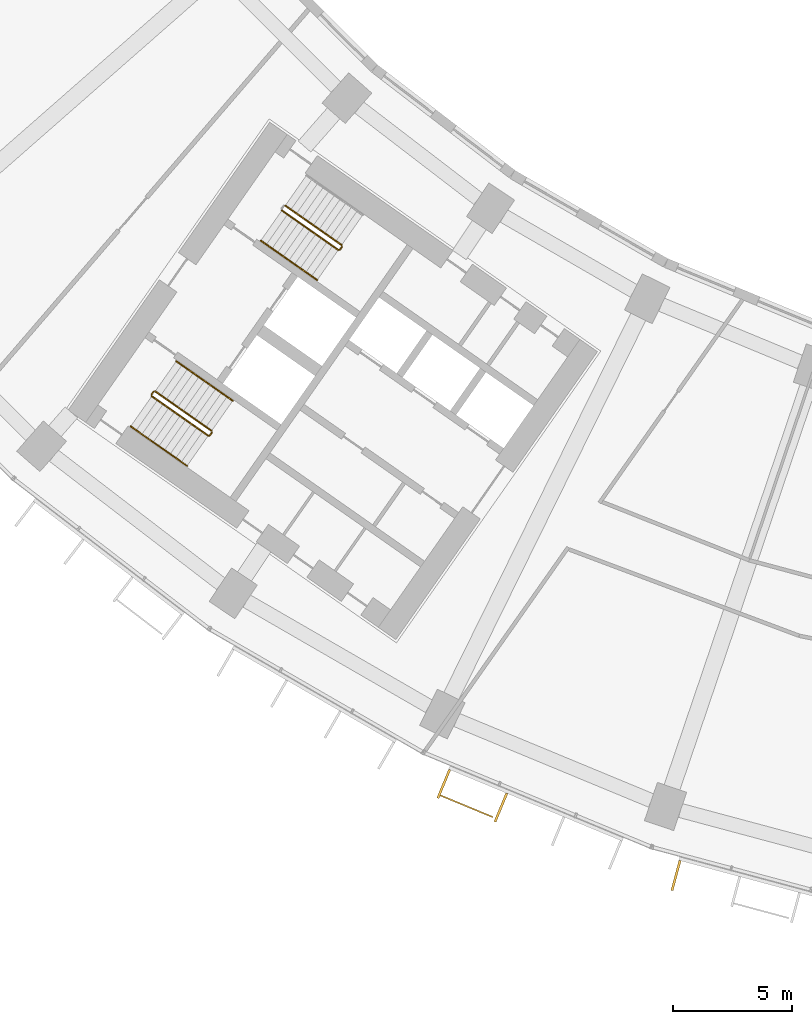
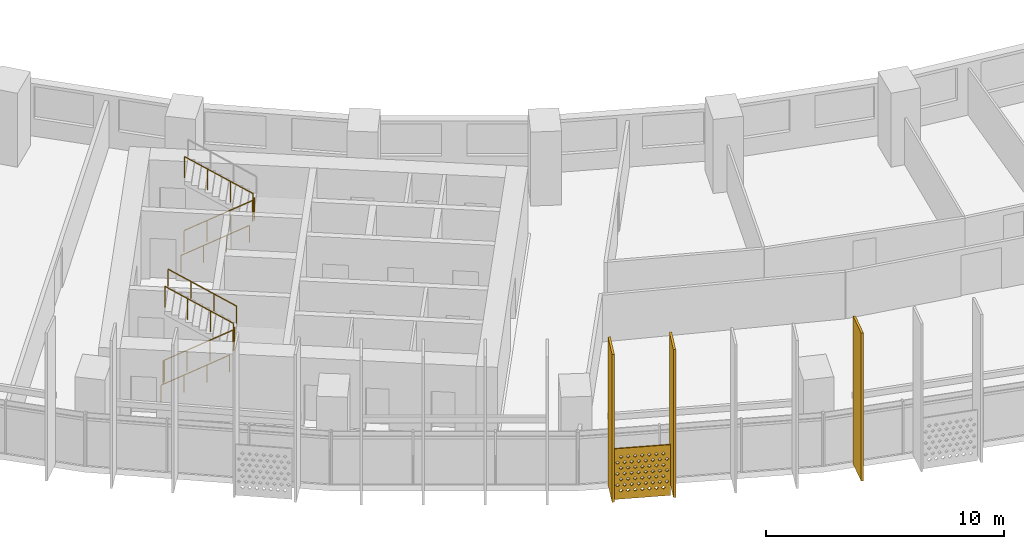
# One storey, part 25 of 31: 8 railings, 4 shading devices.
"""IFC4 building model written with IfcOpenShell, lengths in metres."""

import ifcopenshell
import ifcopenshell.guid

model = None  # the IFC model being written
_history = None  # IfcOwnerHistory: only IFC2X3 demands one
_inside = {}  # id of a spatial element -> (the spatial element, [elements in it])
_under = {}  # id of a project, library or spatial element -> (it, [spatial elements below it])
_declared = {}  # id of a project -> (the project, [libraries it declares])
_typed = {}  # id of a type object -> (the type object, [elements of that type])
_made_of = {}  # id of a material, layer set ... -> (it, [elements and type objects made of it])


def new_model(schema):
    """Start an empty IFC model of exactly this schema.

    Asked for "IFC4X3", IfcOpenShell would pick the latest addendum, in which some entities
    have other attributes; the version numbers below select the first issue.
    IFC2X3 requires an IfcOwnerHistory on every rooted entity: one is made here for all.
    """
    global model, _history
    if schema == "IFC4X3":
        model = ifcopenshell.file(schema_version=(4, 3, 0, 0))
    else:
        model = ifcopenshell.file(schema=schema)
    _inside.clear()
    _under.clear()
    _declared.clear()
    _typed.clear()
    _made_of.clear()
    _history = None
    if model.schema == "IFC2X3":
        org = make("IfcOrganization", Name="unknown")
        user = make(
            "IfcPersonAndOrganization",
            ThePerson=make("IfcPerson", FamilyName="unknown"),
            TheOrganization=org,
        )
        app = make(
            "IfcApplication",
            ApplicationDeveloper=org,
            Version="unknown",
            ApplicationFullName="unknown",
            ApplicationIdentifier="unknown",
        )
        _history = make(
            "IfcOwnerHistory",
            OwningUser=user,
            OwningApplication=app,
            ChangeAction="ADDED",
            CreationDate=0,
        )
    return model


def make(cls, **values):
    """One entity of the class cls with the attributes given. An attribute that is None is left unset."""
    return model.create_entity(
        cls, **{name: value for name, value in values.items() if value is not None}
    )


def rooted(cls, **values):
    """An entity with a GlobalId (a new one), such as an element, a storey or a relation."""
    return make(cls, GlobalId=ifcopenshell.guid.new(), OwnerHistory=_history, **values)


def si_unit(unit_type, name, prefix=None):
    """IfcSIUnit, for example si_unit("LENGTHUNIT", "METRE", prefix="MILLI")."""
    return make("IfcSIUnit", UnitType=unit_type, Prefix=prefix, Name=name)


def assignment(units):
    """IfcUnitAssignment: the units of a project."""
    return None if units is None else make("IfcUnitAssignment", Units=units)


def point(xyz):
    """IfcCartesianPoint."""
    return None if xyz is None else make("IfcCartesianPoint", Coordinates=xyz)


def direction(xyz):
    """IfcDirection."""
    return None if xyz is None else make("IfcDirection", DirectionRatios=xyz)


def frame(location, z_axis=None, x_axis=None):
    """IfcAxis2Placement3D, a coordinate frame: its origin and axes. An axis left out is left unset."""
    return make(
        "IfcAxis2Placement3D",
        Location=point(location),
        Axis=direction(z_axis),
        RefDirection=direction(x_axis),
    )


def frame_2d(location, x_axis=None):
    """IfcAxis2Placement2D, a coordinate frame in the plane: its origin and x axis."""
    return make(
        "IfcAxis2Placement2D", Location=point(location), RefDirection=direction(x_axis)
    )


def origin():
    """The frame at (0, 0, 0) with its axes left unset."""
    return frame((0.0, 0.0, 0.0))


def origin_2d():
    """The frame at (0, 0) in the plane with its x axis left unset."""
    return frame_2d((0.0, 0.0))


def place(relative_to, where):
    """IfcLocalPlacement: puts the frame where relative to a parent placement (None: the world)."""
    return make(
        "IfcLocalPlacement", PlacementRelTo=relative_to, RelativePlacement=where
    )


def context(
    kind, dimensions, precision=None, world=None, true_north=None, identifier=None
):
    """IfcGeometricRepresentationContext, for example the 3D "Model" context."""
    return make(
        "IfcGeometricRepresentationContext",
        ContextIdentifier=identifier,
        ContextType=kind,
        CoordinateSpaceDimension=dimensions,
        Precision=precision,
        WorldCoordinateSystem=world,
        TrueNorth=true_north,
    )


def subcontext(parent, identifier, kind, view, scale=None):
    """IfcGeometricRepresentationSubContext, for example "Body" below "Model"."""
    return make(
        "IfcGeometricRepresentationSubContext",
        ContextIdentifier=identifier,
        ContextType=kind,
        ParentContext=parent,
        TargetScale=scale,
        TargetView=view,
    )


def project(units=None, contexts=None):
    """IfcProject with its units and contexts."""
    return rooted(
        "IfcProject",
        Name="project",
        RepresentationContexts=contexts,
        UnitsInContext=assignment(units),
    )


def spatial(cls, under=None, at=None, **own):
    """A site, building, storey or space (cls), placed at a placement, below another one or the project."""
    s = rooted(cls, ObjectPlacement=at, **own)
    if under is not None:
        _under.setdefault(under.id(), (under, []))[1].append(s)
    return s


def polyline(points):
    """IfcPolyline through the points."""
    return make("IfcPolyline", Points=[point(p) for p in points])


def profile(cls, at=None, kind="AREA", **sizes):
    """A parametric profile (cls). Its sizes go by their IFC names, for example OverallWidth=200.0."""
    return make(cls, ProfileType=kind, Position=at, **sizes)


def rectangle(**sizes):
    """IfcRectangleProfileDef."""
    return profile("IfcRectangleProfileDef", **sizes)


def circle(**sizes):
    """IfcCircleProfileDef."""
    return profile("IfcCircleProfileDef", **sizes)


def outline(outer, holes=None, kind="AREA"):
    """IfcArbitraryClosedProfileDef: a profile drawn as a closed curve; with holes, ...WithVoids."""
    if holes is None:
        return make("IfcArbitraryClosedProfileDef", ProfileType=kind, OuterCurve=outer)
    return make(
        "IfcArbitraryProfileDefWithVoids",
        ProfileType=kind,
        OuterCurve=outer,
        InnerCurves=holes,
    )


def extrude(swept, where, along, depth):
    """IfcExtrudedAreaSolid: the profile swept, set in the frame where, extruded along a direction by depth."""
    return make(
        "IfcExtrudedAreaSolid",
        SweptArea=swept,
        Position=where,
        ExtrudedDirection=direction(along),
        Depth=depth,
    )


def shape(context_of_items, identifier, shape_type, items):
    """IfcShapeRepresentation: the items that make up one representation, for example the "Body"."""
    return make(
        "IfcShapeRepresentation",
        ContextOfItems=context_of_items,
        RepresentationIdentifier=identifier,
        RepresentationType=shape_type,
        Items=items,
    )


def material(Name=None, Category=None):
    """IfcMaterial."""
    return make("IfcMaterial", Name=Name, Category=Category)


def material_profile(
    of_material, cross_section, Name=None, Category=None, Priority=None
):
    """IfcMaterialProfile: a cross section and its material."""
    return make(
        "IfcMaterialProfile",
        Name=Name,
        Material=of_material,
        Profile=cross_section,
        Priority=Priority,
        Category=Category,
    )


def profile_set(profiles, Name=None, composite=None):
    """IfcMaterialProfileSet."""
    return make(
        "IfcMaterialProfileSet",
        Name=Name,
        MaterialProfiles=profiles,
        CompositeProfile=composite,
    )


def made_of(thing, what):
    """Note that an element or type object is made of a material, layer set ...; save() writes the relation."""
    if what is not None:
        _made_of.setdefault(what.id(), (what, []))[1].append(thing)
    return thing


def type_object(cls, material=None, **own):
    """A type object (cls), such as IfcWallType, which elements share."""
    return made_of(rooted(cls, **own), material)


def element(
    cls,
    number,
    at=None,
    inside=None,
    cuts=None,
    type_object=None,
    material=None,
    context=None,
    identifier="Body",
    shape_type=None,
    held_by="IfcProductDefinitionShape",
    body=None,
    shapes=None,
    **own,
):
    """One element of the class cls, such as IfcWall. Its Tag is "e" and its number.

    at: its placement. inside: the storey or other place that contains it. cuts: it is an
    opening in that element (IfcRelVoidsElement). A single representation is given by context,
    identifier, shape_type and body (its items); several are given by shapes. held_by: the class
    of the entity that holds the representations. save() writes the other relations.
    """
    e = rooted(cls, Tag="e%d" % number, ObjectPlacement=at, **own)
    if body is not None:
        shapes = [shape(context, identifier, shape_type, body)]
    if shapes is not None:
        e.Representation = make(held_by, Representations=shapes)
    if inside is not None:
        _inside.setdefault(inside.id(), (inside, []))[1].append(e)
    if cuts is not None:
        rooted(
            "IfcRelVoidsElement", RelatingBuildingElement=cuts, RelatedOpeningElement=e
        )
    if type_object is not None:
        _typed.setdefault(type_object.id(), (type_object, []))[1].append(e)
    return made_of(e, material)


def aggregate(whole, parts):
    """IfcRelAggregates: a whole, such as a stair, and the parts it consists of."""
    return rooted("IfcRelAggregates", RelatingObject=whole, RelatedObjects=parts)


def save(model, path):
    """Write the relations noted so far, then the file.

    IfcRelAggregates (storeys below a building ...), IfcRelContainedInSpatialStructure (elements
    in a storey), IfcRelDefinesByType, IfcRelAssociatesMaterial and IfcRelDeclares: one each for
    every whole, place, type object, material and project.
    """
    for whole, parts in _under.values():
        aggregate(whole, parts)
    for where, things in _inside.values():
        rooted(
            "IfcRelContainedInSpatialStructure",
            RelatedElements=things,
            RelatingStructure=where,
        )
    for kind, things in _typed.values():
        rooted("IfcRelDefinesByType", RelatedObjects=things, RelatingType=kind)
    for what, things in _made_of.values():
        rooted("IfcRelAssociatesMaterial", RelatedObjects=things, RelatingMaterial=what)
    for by, libraries in _declared.values():
        rooted("IfcRelDeclares", RelatingContext=by, RelatedDefinitions=libraries)
    model.write(path)


model = new_model("IFC4")

# Units and contexts
model_context = context("Model", 3, precision=1e-05, world=origin(), true_north=direction((0.0, 1.0)))
body_context = subcontext(model_context, "Body", "Model", "MODEL_VIEW")
ifc_project = project(units=[si_unit("LENGTHUNIT", "METRE"), si_unit("AREAUNIT", "SQUARE_METRE"), si_unit("VOLUMEUNIT", "CUBIC_METRE"), si_unit("PLANEANGLEUNIT", "RADIAN"), si_unit("MASSUNIT", "GRAM", prefix="KILO")], contexts=[model_context])

# Site, building, storey
site_placement = place(None, origin())
site = spatial("IfcSite", under=ifc_project, at=site_placement, CompositionType="ELEMENT")
building_placement = place(site_placement, origin())
building = spatial("IfcBuilding", under=site, at=building_placement, Name="Qamariyya Broadcast Tower", CompositionType="ELEMENT")
storey_placement = place(building_placement, frame((0.0, 0.0, 55.699951171875)))
storey = spatial("IfcBuildingStorey", under=building, at=storey_placement, Name="L10", CompositionType="ELEMENT", Elevation=55.699951171875)

# Shading device
ifc_material_1 = material(Name="Perforated glazed terracotta", Category="masonry")
ifc_material_profile_1 = material_profile(ifc_material_1, outline(polyline([(-1.199951171875, -1.300048828125), (1.199951171875, -1.300048828125), (1.199951171875, 1.300048828125), (-1.199951171875, 1.300048828125), (-1.199951171875, -1.300048828125)]), holes=[polyline([(-0.81494140625, -0.86669921875), (-0.89990234375, -0.78173828125), (-0.985107421875, -0.86669921875), (-0.89990234375, -0.95166015625), (-0.81494140625, -0.86669921875)]), polyline([(-0.514892578125, -0.86669921875), (-0.60009765625, -0.78173828125), (-0.68505859375, -0.86669921875), (-0.60009765625, -0.95166015625), (-0.514892578125, -0.86669921875)]), polyline([(-0.215087890625, -0.86669921875), (-0.300048828125, -0.78173828125), (-0.385009765625, -0.86669921875), (-0.300048828125, -0.95166015625), (-0.215087890625, -0.86669921875)]), polyline([(0.0849609375, -0.86669921875), (0.0, -0.78173828125), (-0.0849609375, -0.86669921875), (0.0, -0.95166015625), (0.0849609375, -0.86669921875)]), polyline([(0.385009765625, -0.86669921875), (0.300048828125, -0.78173828125), (0.215087890625, -0.86669921875), (0.300048828125, -0.95166015625), (0.385009765625, -0.86669921875)]), polyline([(0.68505859375, -0.86669921875), (0.60009765625, -0.78173828125), (0.514892578125, -0.86669921875), (0.60009765625, -0.95166015625), (0.68505859375, -0.86669921875)]), polyline([(0.985107421875, -0.86669921875), (0.89990234375, -0.78173828125), (0.81494140625, -0.86669921875), (0.89990234375, -0.95166015625), (0.985107421875, -0.86669921875)]), polyline([(-0.965087890625, -0.577880859375), (-1.050048828125, -0.49267578125), (-1.135009765625, -0.577880859375), (-1.050048828125, -0.662841796875), (-0.965087890625, -0.577880859375)]), polyline([(-0.6650390625, -0.577880859375), (-0.75, -0.49267578125), (-0.8349609375, -0.577880859375), (-0.75, -0.662841796875), (-0.6650390625, -0.577880859375)]), polyline([(-0.364990234375, -0.577880859375), (-0.449951171875, -0.49267578125), (-0.534912109375, -0.577880859375), (-0.449951171875, -0.662841796875), (-0.364990234375, -0.577880859375)]), polyline([(-0.06494140625, -0.577880859375), (-0.14990234375, -0.49267578125), (-0.235107421875, -0.577880859375), (-0.14990234375, -0.662841796875), (-0.06494140625, -0.577880859375)]), polyline([(0.235107421875, -0.577880859375), (0.14990234375, -0.49267578125), (0.06494140625, -0.577880859375), (0.14990234375, -0.662841796875), (0.235107421875, -0.577880859375)]), polyline([(0.534912109375, -0.577880859375), (0.449951171875, -0.49267578125), (0.364990234375, -0.577880859375), (0.449951171875, -0.662841796875), (0.534912109375, -0.577880859375)]), polyline([(0.8349609375, -0.577880859375), (0.75, -0.49267578125), (0.6650390625, -0.577880859375), (0.75, -0.662841796875), (0.8349609375, -0.577880859375)]), polyline([(1.135009765625, -0.577880859375), (1.050048828125, -0.49267578125), (0.965087890625, -0.577880859375), (1.050048828125, -0.662841796875), (1.135009765625, -0.577880859375)]), polyline([(-0.81494140625, -0.288818359375), (-0.89990234375, -0.203857421875), (-0.985107421875, -0.288818359375), (-0.89990234375, -0.373779296875), (-0.81494140625, -0.288818359375)]), polyline([(-0.514892578125, -0.288818359375), (-0.60009765625, -0.203857421875), (-0.68505859375, -0.288818359375), (-0.60009765625, -0.373779296875), (-0.514892578125, -0.288818359375)]), polyline([(-0.215087890625, -0.288818359375), (-0.300048828125, -0.203857421875), (-0.385009765625, -0.288818359375), (-0.300048828125, -0.373779296875), (-0.215087890625, -0.288818359375)]), polyline([(0.0849609375, -0.288818359375), (0.0, -0.203857421875), (-0.0849609375, -0.288818359375), (0.0, -0.373779296875), (0.0849609375, -0.288818359375)]), polyline([(0.385009765625, -0.288818359375), (0.300048828125, -0.203857421875), (0.215087890625, -0.288818359375), (0.300048828125, -0.373779296875), (0.385009765625, -0.288818359375)]), polyline([(0.68505859375, -0.288818359375), (0.60009765625, -0.203857421875), (0.514892578125, -0.288818359375), (0.60009765625, -0.373779296875), (0.68505859375, -0.288818359375)]), polyline([(0.985107421875, -0.288818359375), (0.89990234375, -0.203857421875), (0.81494140625, -0.288818359375), (0.89990234375, -0.373779296875), (0.985107421875, -0.288818359375)]), polyline([(-0.965087890625, 0.0), (-1.050048828125, 0.0849609375), (-1.135009765625, 0.0), (-1.050048828125, -0.0849609375), (-0.965087890625, 0.0)]), polyline([(-0.6650390625, 0.0), (-0.75, 0.0849609375), (-0.8349609375, 0.0), (-0.75, -0.0849609375), (-0.6650390625, 0.0)]), polyline([(-0.364990234375, 0.0), (-0.449951171875, 0.0849609375), (-0.534912109375, 0.0), (-0.449951171875, -0.0849609375), (-0.364990234375, 0.0)]), polyline([(-0.06494140625, 0.0), (-0.14990234375, 0.0849609375), (-0.235107421875, 0.0), (-0.14990234375, -0.0849609375), (-0.06494140625, 0.0)]), polyline([(0.235107421875, 0.0), (0.14990234375, 0.0849609375), (0.06494140625, 0.0), (0.14990234375, -0.0849609375), (0.235107421875, 0.0)]), polyline([(0.534912109375, 0.0), (0.449951171875, 0.0849609375), (0.364990234375, 0.0), (0.449951171875, -0.0849609375), (0.534912109375, 0.0)]), polyline([(0.8349609375, 0.0), (0.75, 0.0849609375), (0.6650390625, 0.0), (0.75, -0.0849609375), (0.8349609375, 0.0)]), polyline([(1.135009765625, 0.0), (1.050048828125, 0.0849609375), (0.965087890625, 0.0), (1.050048828125, -0.0849609375), (1.135009765625, 0.0)]), polyline([(-0.81494140625, 0.288818359375), (-0.89990234375, 0.373779296875), (-0.985107421875, 0.288818359375), (-0.89990234375, 0.203857421875), (-0.81494140625, 0.288818359375)]), polyline([(-0.514892578125, 0.288818359375), (-0.60009765625, 0.373779296875), (-0.68505859375, 0.288818359375), (-0.60009765625, 0.203857421875), (-0.514892578125, 0.288818359375)]), polyline([(-0.215087890625, 0.288818359375), (-0.300048828125, 0.373779296875), (-0.385009765625, 0.288818359375), (-0.300048828125, 0.203857421875), (-0.215087890625, 0.288818359375)]), polyline([(0.0849609375, 0.288818359375), (0.0, 0.373779296875), (-0.0849609375, 0.288818359375), (0.0, 0.203857421875), (0.0849609375, 0.288818359375)]), polyline([(0.385009765625, 0.288818359375), (0.300048828125, 0.373779296875), (0.215087890625, 0.288818359375), (0.300048828125, 0.203857421875), (0.385009765625, 0.288818359375)]), polyline([(0.68505859375, 0.288818359375), (0.60009765625, 0.373779296875), (0.514892578125, 0.288818359375), (0.60009765625, 0.203857421875), (0.68505859375, 0.288818359375)]), polyline([(0.985107421875, 0.288818359375), (0.89990234375, 0.373779296875), (0.81494140625, 0.288818359375), (0.89990234375, 0.203857421875), (0.985107421875, 0.288818359375)]), polyline([(-0.965087890625, 0.577880859375), (-1.050048828125, 0.662841796875), (-1.135009765625, 0.577880859375), (-1.050048828125, 0.49267578125), (-0.965087890625, 0.577880859375)]), polyline([(-0.6650390625, 0.577880859375), (-0.75, 0.662841796875), (-0.8349609375, 0.577880859375), (-0.75, 0.49267578125), (-0.6650390625, 0.577880859375)]), polyline([(-0.364990234375, 0.577880859375), (-0.449951171875, 0.662841796875), (-0.534912109375, 0.577880859375), (-0.449951171875, 0.49267578125), (-0.364990234375, 0.577880859375)]), polyline([(-0.06494140625, 0.577880859375), (-0.14990234375, 0.662841796875), (-0.235107421875, 0.577880859375), (-0.14990234375, 0.49267578125), (-0.06494140625, 0.577880859375)]), polyline([(0.235107421875, 0.577880859375), (0.14990234375, 0.662841796875), (0.06494140625, 0.577880859375), (0.14990234375, 0.49267578125), (0.235107421875, 0.577880859375)]), polyline([(0.534912109375, 0.577880859375), (0.449951171875, 0.662841796875), (0.364990234375, 0.577880859375), (0.449951171875, 0.49267578125), (0.534912109375, 0.577880859375)]), polyline([(0.8349609375, 0.577880859375), (0.75, 0.662841796875), (0.6650390625, 0.577880859375), (0.75, 0.49267578125), (0.8349609375, 0.577880859375)]), polyline([(1.135009765625, 0.577880859375), (1.050048828125, 0.662841796875), (0.965087890625, 0.577880859375), (1.050048828125, 0.49267578125), (1.135009765625, 0.577880859375)]), polyline([(-0.81494140625, 0.86669921875), (-0.89990234375, 0.95166015625), (-0.985107421875, 0.86669921875), (-0.89990234375, 0.78173828125), (-0.81494140625, 0.86669921875)]), polyline([(-0.514892578125, 0.86669921875), (-0.60009765625, 0.95166015625), (-0.68505859375, 0.86669921875), (-0.60009765625, 0.78173828125), (-0.514892578125, 0.86669921875)]), polyline([(-0.215087890625, 0.86669921875), (-0.300048828125, 0.95166015625), (-0.385009765625, 0.86669921875), (-0.300048828125, 0.78173828125), (-0.215087890625, 0.86669921875)]), polyline([(0.0849609375, 0.86669921875), (0.0, 0.95166015625), (-0.0849609375, 0.86669921875), (0.0, 0.78173828125), (0.0849609375, 0.86669921875)]), polyline([(0.385009765625, 0.86669921875), (0.300048828125, 0.95166015625), (0.215087890625, 0.86669921875), (0.300048828125, 0.78173828125), (0.385009765625, 0.86669921875)]), polyline([(0.68505859375, 0.86669921875), (0.60009765625, 0.95166015625), (0.514892578125, 0.86669921875), (0.60009765625, 0.78173828125), (0.68505859375, 0.86669921875)]), polyline([(0.985107421875, 0.86669921875), (0.89990234375, 0.95166015625), (0.81494140625, 0.86669921875), (0.89990234375, 0.78173828125), (0.985107421875, 0.86669921875)])]))
ifc_profile_set_1 = profile_set([ifc_material_profile_1], Name="Perforated glazed terracotta")
shading_device_type_1 = type_object("IfcShadingDeviceType", Name="Perforated terracotta screen 2400 x 2600", PredefinedType="USERDEFINED", material=ifc_profile_set_1)
shading_device_placement = place(storey_placement, frame((-33.356201171875, -73.5859375, 1.35009765625), z_axis=(-0.382591441855, -0.923917630863, 0.0), x_axis=(0.923917630863, -0.382591441855, 0.0)))
element("IfcShadingDevice", 1, at=shading_device_placement, inside=storey, type_object=shading_device_type_1, Name="e-scr-L10-05-0", ObjectType="SCREEN", PredefinedType="USERDEFINED", context=body_context, shape_type="SweptSolid", body=[
    extrude(outline(polyline([(-1.199951171875, -1.300048828125), (1.199951171875, -1.300048828125), (1.199951171875, 1.300048828125), (-1.199951171875, 1.300048828125), (-1.199951171875, -1.300048828125)]), holes=[polyline([(-0.81494140625, -0.86669921875), (-0.89990234375, -0.78173828125), (-0.985107421875, -0.86669921875), (-0.89990234375, -0.95166015625), (-0.81494140625, -0.86669921875)]), polyline([(-0.514892578125, -0.86669921875), (-0.60009765625, -0.78173828125), (-0.68505859375, -0.86669921875), (-0.60009765625, -0.95166015625), (-0.514892578125, -0.86669921875)]), polyline([(-0.215087890625, -0.86669921875), (-0.300048828125, -0.78173828125), (-0.385009765625, -0.86669921875), (-0.300048828125, -0.95166015625), (-0.215087890625, -0.86669921875)]), polyline([(0.0849609375, -0.86669921875), (0.0, -0.78173828125), (-0.0849609375, -0.86669921875), (0.0, -0.95166015625), (0.0849609375, -0.86669921875)]), polyline([(0.385009765625, -0.86669921875), (0.300048828125, -0.78173828125), (0.215087890625, -0.86669921875), (0.300048828125, -0.95166015625), (0.385009765625, -0.86669921875)]), polyline([(0.68505859375, -0.86669921875), (0.60009765625, -0.78173828125), (0.514892578125, -0.86669921875), (0.60009765625, -0.95166015625), (0.68505859375, -0.86669921875)]), polyline([(0.985107421875, -0.86669921875), (0.89990234375, -0.78173828125), (0.81494140625, -0.86669921875), (0.89990234375, -0.95166015625), (0.985107421875, -0.86669921875)]), polyline([(-0.965087890625, -0.577880859375), (-1.050048828125, -0.49267578125), (-1.135009765625, -0.577880859375), (-1.050048828125, -0.662841796875), (-0.965087890625, -0.577880859375)]), polyline([(-0.6650390625, -0.577880859375), (-0.75, -0.49267578125), (-0.8349609375, -0.577880859375), (-0.75, -0.662841796875), (-0.6650390625, -0.577880859375)]), polyline([(-0.364990234375, -0.577880859375), (-0.449951171875, -0.49267578125), (-0.534912109375, -0.577880859375), (-0.449951171875, -0.662841796875), (-0.364990234375, -0.577880859375)]), polyline([(-0.06494140625, -0.577880859375), (-0.14990234375, -0.49267578125), (-0.235107421875, -0.577880859375), (-0.14990234375, -0.662841796875), (-0.06494140625, -0.577880859375)]), polyline([(0.235107421875, -0.577880859375), (0.14990234375, -0.49267578125), (0.06494140625, -0.577880859375), (0.14990234375, -0.662841796875), (0.235107421875, -0.577880859375)]), polyline([(0.534912109375, -0.577880859375), (0.449951171875, -0.49267578125), (0.364990234375, -0.577880859375), (0.449951171875, -0.662841796875), (0.534912109375, -0.577880859375)]), polyline([(0.8349609375, -0.577880859375), (0.75, -0.49267578125), (0.6650390625, -0.577880859375), (0.75, -0.662841796875), (0.8349609375, -0.577880859375)]), polyline([(1.135009765625, -0.577880859375), (1.050048828125, -0.49267578125), (0.965087890625, -0.577880859375), (1.050048828125, -0.662841796875), (1.135009765625, -0.577880859375)]), polyline([(-0.81494140625, -0.288818359375), (-0.89990234375, -0.203857421875), (-0.985107421875, -0.288818359375), (-0.89990234375, -0.373779296875), (-0.81494140625, -0.288818359375)]), polyline([(-0.514892578125, -0.288818359375), (-0.60009765625, -0.203857421875), (-0.68505859375, -0.288818359375), (-0.60009765625, -0.373779296875), (-0.514892578125, -0.288818359375)]), polyline([(-0.215087890625, -0.288818359375), (-0.300048828125, -0.203857421875), (-0.385009765625, -0.288818359375), (-0.300048828125, -0.373779296875), (-0.215087890625, -0.288818359375)]), polyline([(0.0849609375, -0.288818359375), (0.0, -0.203857421875), (-0.0849609375, -0.288818359375), (0.0, -0.373779296875), (0.0849609375, -0.288818359375)]), polyline([(0.385009765625, -0.288818359375), (0.300048828125, -0.203857421875), (0.215087890625, -0.288818359375), (0.300048828125, -0.373779296875), (0.385009765625, -0.288818359375)]), polyline([(0.68505859375, -0.288818359375), (0.60009765625, -0.203857421875), (0.514892578125, -0.288818359375), (0.60009765625, -0.373779296875), (0.68505859375, -0.288818359375)]), polyline([(0.985107421875, -0.288818359375), (0.89990234375, -0.203857421875), (0.81494140625, -0.288818359375), (0.89990234375, -0.373779296875), (0.985107421875, -0.288818359375)]), polyline([(-0.965087890625, 0.0), (-1.050048828125, 0.0849609375), (-1.135009765625, 0.0), (-1.050048828125, -0.0849609375), (-0.965087890625, 0.0)]), polyline([(-0.6650390625, 0.0), (-0.75, 0.0849609375), (-0.8349609375, 0.0), (-0.75, -0.0849609375), (-0.6650390625, 0.0)]), polyline([(-0.364990234375, 0.0), (-0.449951171875, 0.0849609375), (-0.534912109375, 0.0), (-0.449951171875, -0.0849609375), (-0.364990234375, 0.0)]), polyline([(-0.06494140625, 0.0), (-0.14990234375, 0.0849609375), (-0.235107421875, 0.0), (-0.14990234375, -0.0849609375), (-0.06494140625, 0.0)]), polyline([(0.235107421875, 0.0), (0.14990234375, 0.0849609375), (0.06494140625, 0.0), (0.14990234375, -0.0849609375), (0.235107421875, 0.0)]), polyline([(0.534912109375, 0.0), (0.449951171875, 0.0849609375), (0.364990234375, 0.0), (0.449951171875, -0.0849609375), (0.534912109375, 0.0)]), polyline([(0.8349609375, 0.0), (0.75, 0.0849609375), (0.6650390625, 0.0), (0.75, -0.0849609375), (0.8349609375, 0.0)]), polyline([(1.135009765625, 0.0), (1.050048828125, 0.0849609375), (0.965087890625, 0.0), (1.050048828125, -0.0849609375), (1.135009765625, 0.0)]), polyline([(-0.81494140625, 0.288818359375), (-0.89990234375, 0.373779296875), (-0.985107421875, 0.288818359375), (-0.89990234375, 0.203857421875), (-0.81494140625, 0.288818359375)]), polyline([(-0.514892578125, 0.288818359375), (-0.60009765625, 0.373779296875), (-0.68505859375, 0.288818359375), (-0.60009765625, 0.203857421875), (-0.514892578125, 0.288818359375)]), polyline([(-0.215087890625, 0.288818359375), (-0.300048828125, 0.373779296875), (-0.385009765625, 0.288818359375), (-0.300048828125, 0.203857421875), (-0.215087890625, 0.288818359375)]), polyline([(0.0849609375, 0.288818359375), (0.0, 0.373779296875), (-0.0849609375, 0.288818359375), (0.0, 0.203857421875), (0.0849609375, 0.288818359375)]), polyline([(0.385009765625, 0.288818359375), (0.300048828125, 0.373779296875), (0.215087890625, 0.288818359375), (0.300048828125, 0.203857421875), (0.385009765625, 0.288818359375)]), polyline([(0.68505859375, 0.288818359375), (0.60009765625, 0.373779296875), (0.514892578125, 0.288818359375), (0.60009765625, 0.203857421875), (0.68505859375, 0.288818359375)]), polyline([(0.985107421875, 0.288818359375), (0.89990234375, 0.373779296875), (0.81494140625, 0.288818359375), (0.89990234375, 0.203857421875), (0.985107421875, 0.288818359375)]), polyline([(-0.965087890625, 0.577880859375), (-1.050048828125, 0.662841796875), (-1.135009765625, 0.577880859375), (-1.050048828125, 0.49267578125), (-0.965087890625, 0.577880859375)]), polyline([(-0.6650390625, 0.577880859375), (-0.75, 0.662841796875), (-0.8349609375, 0.577880859375), (-0.75, 0.49267578125), (-0.6650390625, 0.577880859375)]), polyline([(-0.364990234375, 0.577880859375), (-0.449951171875, 0.662841796875), (-0.534912109375, 0.577880859375), (-0.449951171875, 0.49267578125), (-0.364990234375, 0.577880859375)]), polyline([(-0.06494140625, 0.577880859375), (-0.14990234375, 0.662841796875), (-0.235107421875, 0.577880859375), (-0.14990234375, 0.49267578125), (-0.06494140625, 0.577880859375)]), polyline([(0.235107421875, 0.577880859375), (0.14990234375, 0.662841796875), (0.06494140625, 0.577880859375), (0.14990234375, 0.49267578125), (0.235107421875, 0.577880859375)]), polyline([(0.534912109375, 0.577880859375), (0.449951171875, 0.662841796875), (0.364990234375, 0.577880859375), (0.449951171875, 0.49267578125), (0.534912109375, 0.577880859375)]), polyline([(0.8349609375, 0.577880859375), (0.75, 0.662841796875), (0.6650390625, 0.577880859375), (0.75, 0.49267578125), (0.8349609375, 0.577880859375)]), polyline([(1.135009765625, 0.577880859375), (1.050048828125, 0.662841796875), (0.965087890625, 0.577880859375), (1.050048828125, 0.49267578125), (1.135009765625, 0.577880859375)]), polyline([(-0.81494140625, 0.86669921875), (-0.89990234375, 0.95166015625), (-0.985107421875, 0.86669921875), (-0.89990234375, 0.78173828125), (-0.81494140625, 0.86669921875)]), polyline([(-0.514892578125, 0.86669921875), (-0.60009765625, 0.95166015625), (-0.68505859375, 0.86669921875), (-0.60009765625, 0.78173828125), (-0.514892578125, 0.86669921875)]), polyline([(-0.215087890625, 0.86669921875), (-0.300048828125, 0.95166015625), (-0.385009765625, 0.86669921875), (-0.300048828125, 0.78173828125), (-0.215087890625, 0.86669921875)]), polyline([(0.0849609375, 0.86669921875), (0.0, 0.95166015625), (-0.0849609375, 0.86669921875), (0.0, 0.78173828125), (0.0849609375, 0.86669921875)]), polyline([(0.385009765625, 0.86669921875), (0.300048828125, 0.95166015625), (0.215087890625, 0.86669921875), (0.300048828125, 0.78173828125), (0.385009765625, 0.86669921875)]), polyline([(0.68505859375, 0.86669921875), (0.60009765625, 0.95166015625), (0.514892578125, 0.86669921875), (0.60009765625, 0.78173828125), (0.68505859375, 0.86669921875)]), polyline([(0.985107421875, 0.86669921875), (0.89990234375, 0.95166015625), (0.81494140625, 0.86669921875), (0.89990234375, 0.78173828125), (0.985107421875, 0.86669921875)])]), origin(), (0.0, 0.0, 1.0), 0.06005859375),
])

# Railings
ifc_material_2 = material(Name="Painted steel", Category="steel")
railing_type_1 = type_object("IfcRailingType", Name="Stair guard", PredefinedType="GUARDRAIL", material=ifc_material_2)
railing_1_placement = place(storey_placement, frame((-41.146728515625, -48.52490234375, 0.1728515625)))
element("IfcRailing", 2, at=railing_1_placement, inside=storey, type_object=railing_type_1, Name="L10 ST-W2 stair guard 1", PredefinedType="GUARDRAIL", context=body_context, shape_type="SweptSolid", body=[
    extrude(circle(Radius=0.02392578125, at=origin_2d()), frame((0.0, 0.0, 1.076171875), z_axis=(0.703770094002, -0.492783725636, 0.511734163933), x_axis=(0.573575343427, 0.819152809562, 0.0)), (0.0, 0.0, 1.0), 3.37548828125),
    extrude(circle(Radius=0.02392578125, at=origin_2d()), frame((2.37548828125, -1.663330078125, 2.80322265625), z_axis=(0.985059694769, 0.172213233351, 0.0), x_axis=(-0.172213233351, 0.985059694769, 0.0)), (0.0, 0.0, 1.0), 0.07080078125),
    extrude(circle(Radius=0.02392578125, at=origin_2d()), frame((2.4453125, -1.651123046875, 2.80322265625), z_axis=(0.572588637393, 0.819842821722, 0.0), x_axis=(-0.819842821722, 0.572588637393, 0.0)), (0.0, 0.0, 1.0), 0.150146484375),
    extrude(circle(Radius=0.02099609375, at=origin_2d()), origin(), (0.0, 0.0, 1.0), 1.052001953125),
    extrude(circle(Radius=0.02099609375, at=origin_2d()), frame((0.791748046875, -0.554443359375, 0.57568359375)), (0.0, 0.0, 1.0), 1.052001953125),
    extrude(circle(Radius=0.02099609375, at=origin_2d()), frame((1.583740234375, -1.10888671875, 1.151611328125)), (0.0, 0.0, 1.0), 1.052001953125),
    extrude(circle(Radius=0.02099609375, at=origin_2d()), frame((2.37548828125, -1.663330078125, 1.727294921875)), (0.0, 0.0, 1.0), 1.052001953125),
    extrude(circle(Radius=0.02099609375, at=origin_2d()), frame((2.4453125, -1.651123046875, 1.727294921875)), (0.0, 0.0, 1.0), 1.052001953125),
    extrude(circle(Radius=0.02099609375, at=origin_2d()), frame((2.53125, -1.528076171875, 1.727294921875)), (0.0, 0.0, 1.0), 1.052001953125),
])
railing_2_placement = place(storey_placement, frame((-38.627685546875, -49.9833984375, 2.07275390625)))
element("IfcRailing", 3, at=railing_2_placement, inside=storey, type_object=railing_type_1, Name="L10 ST-W2 stair guard 2", PredefinedType="GUARDRAIL", context=body_context, shape_type="SweptSolid", body=[
    extrude(circle(Radius=0.02392578125, at=origin_2d()), frame((0.0, 0.0, 1.076171875), z_axis=(-0.703770094002, 0.492783725636, 0.511734163933), x_axis=(-0.573575343427, -0.819152809562, 0.0)), (0.0, 0.0, 1.0), 3.37548828125),
    extrude(circle(Radius=0.02099609375, at=origin_2d()), origin(), (0.0, 0.0, 1.0), 1.052001953125),
    extrude(circle(Radius=0.02099609375, at=origin_2d()), frame((-0.791748046875, 0.554443359375, 0.57568359375)), (0.0, 0.0, 1.0), 1.052001953125),
    extrude(circle(Radius=0.02099609375, at=origin_2d()), frame((-1.583740234375, 1.10888671875, 1.151611328125)), (0.0, 0.0, 1.0), 1.052001953125),
    extrude(circle(Radius=0.02099609375, at=origin_2d()), frame((-2.37548828125, 1.663330078125, 1.727294921875)), (0.0, 0.0, 1.0), 1.052001953125),
])
railing_3_placement = place(storey_placement, frame((-46.624267578125, -56.34765625, 0.1728515625)))
element("IfcRailing", 4, at=railing_3_placement, inside=storey, type_object=railing_type_1, Name="L10 ST-W1 stair guard 1", PredefinedType="GUARDRAIL", context=body_context, shape_type="SweptSolid", body=[
    extrude(circle(Radius=0.02392578125, at=origin_2d()), frame((0.0, 0.0, 1.076171875), z_axis=(0.703745009021, -0.492838488332, 0.511715923826), x_axis=(0.573631830683, 0.819113253969, 0.0)), (0.0, 0.0, 1.0), 3.37548828125),
    extrude(circle(Radius=0.02392578125, at=origin_2d()), frame((2.37548828125, -1.66357421875, 2.80322265625), z_axis=(0.984363469884, 0.176149252506, 0.0), x_axis=(-0.176149252506, 0.984363469884, 0.0)), (0.0, 0.0, 1.0), 0.07080078125),
    extrude(circle(Radius=0.02392578125, at=origin_2d()), frame((2.445068359375, -1.651123046875, 2.80322265625), z_axis=(0.574444878118, 0.818543268254, 0.0), x_axis=(-0.818543268254, 0.574444878118, 0.0)), (0.0, 0.0, 1.0), 0.150146484375),
    extrude(circle(Radius=0.02099609375, at=origin_2d()), origin(), (0.0, 0.0, 1.0), 1.052001953125),
    extrude(circle(Radius=0.02099609375, at=origin_2d()), frame((0.791748046875, -0.554443359375, 0.57568359375)), (0.0, 0.0, 1.0), 1.052001953125),
    extrude(circle(Radius=0.02099609375, at=origin_2d()), frame((1.583740234375, -1.109130859375, 1.151611328125)), (0.0, 0.0, 1.0), 1.052001953125),
    extrude(circle(Radius=0.02099609375, at=origin_2d()), frame((2.37548828125, -1.66357421875, 1.727294921875)), (0.0, 0.0, 1.0), 1.052001953125),
    extrude(circle(Radius=0.02099609375, at=origin_2d()), frame((2.445068359375, -1.651123046875, 1.727294921875)), (0.0, 0.0, 1.0), 1.052001953125),
    extrude(circle(Radius=0.02099609375, at=origin_2d()), frame((2.53125, -1.5283203125, 1.727294921875)), (0.0, 0.0, 1.0), 1.052001953125),
])
railing_4_placement = place(storey_placement, frame((-44.10546875, -57.806396484375, 2.07275390625)))
element("IfcRailing", 5, at=railing_4_placement, inside=storey, type_object=railing_type_1, Name="L10 ST-W1 stair guard 2", PredefinedType="GUARDRAIL", context=body_context, shape_type="SweptSolid", body=[
    extrude(circle(Radius=0.02392578125, at=origin_2d()), frame((0.0, 0.0, 1.076171875), z_axis=(-0.703770094002, 0.492783725636, 0.511734163933), x_axis=(-0.573575343427, -0.819152809562, 0.0)), (0.0, 0.0, 1.0), 3.37548828125),
    extrude(circle(Radius=0.02099609375, at=origin_2d()), origin(), (0.0, 0.0, 1.0), 1.052001953125),
    extrude(circle(Radius=0.02099609375, at=origin_2d()), frame((-0.791748046875, 0.554443359375, 0.57568359375)), (0.0, 0.0, 1.0), 1.052001953125),
    extrude(circle(Radius=0.02099609375, at=origin_2d()), frame((-1.583740234375, 1.10888671875, 1.151611328125)), (0.0, 0.0, 1.0), 1.052001953125),
    extrude(circle(Radius=0.02099609375, at=origin_2d()), frame((-2.37548828125, 1.663330078125, 1.727294921875)), (0.0, 0.0, 1.0), 1.052001953125),
])
railing_5_placement = place(storey_placement, frame((-46.63671875, -56.278076171875, 0.0)))
element("IfcRailing", 6, at=railing_5_placement, inside=storey, type_object=railing_type_1, Name="L10 ST-W1 stair guard 3", PredefinedType="GUARDRAIL", context=body_context, shape_type="SweptSolid", body=[
    extrude(circle(Radius=0.02392578125, at=origin_2d()), frame((0.0, 0.0, 1.076171875), z_axis=(0.574444878118, 0.818543268254, 0.0), x_axis=(-0.818543268254, 0.574444878118, 0.0)), (0.0, 0.0, 1.0), 0.150146484375),
    extrude(circle(Radius=0.02099609375, at=origin_2d()), origin(), (0.0, 0.0, 1.0), 1.052001953125),
    extrude(circle(Radius=0.02099609375, at=origin_2d()), frame((0.086181640625, 0.122802734375, 0.0)), (0.0, 0.0, 1.0), 1.052001953125),
])
ifc_material_3 = material(Name="Stainless steel", Category="steel")
railing_type_2 = type_object("IfcRailingType", Name="Stair handrail", PredefinedType="HANDRAIL", material=ifc_material_3)
railing_6_placement = place(storey_placement, frame((-42.03564453125, -49.79443359375, 0.1728515625)))
element("IfcRailing", 7, at=railing_6_placement, inside=storey, type_object=railing_type_2, Name="L10 ST-W2 stair handrail 1", PredefinedType="HANDRAIL", context=body_context, shape_type="SweptSolid", body=[
    extrude(circle(Radius=0.02392578125, at=origin_2d()), frame((0.0, 0.0, 0.8759765625), z_axis=(0.703745009021, -0.492838488332, 0.511715923826), x_axis=(0.573631830683, 0.819113253969, 0.0)), (0.0, 0.0, 1.0), 3.37548828125),
    extrude(circle(Radius=0.02099609375, at=origin_2d()), origin(), (0.0, 0.0, 1.0), 0.851806640625),
    extrude(circle(Radius=0.02099609375, at=origin_2d()), frame((0.791748046875, -0.554443359375, 0.57568359375)), (0.0, 0.0, 1.0), 0.851806640625),
    extrude(circle(Radius=0.02099609375, at=origin_2d()), frame((1.583740234375, -1.109130859375, 1.151611328125)), (0.0, 0.0, 1.0), 0.851806640625),
    extrude(circle(Radius=0.02099609375, at=origin_2d()), frame((2.37548828125, -1.66357421875, 1.727294921875)), (0.0, 0.0, 1.0), 0.851806640625),
])
railing_7_placement = place(storey_placement, frame((-47.513427734375, -57.617431640625, 0.1728515625)))
element("IfcRailing", 8, at=railing_7_placement, inside=storey, type_object=railing_type_2, Name="L10 ST-W1 stair handrail 1", PredefinedType="HANDRAIL", context=body_context, shape_type="SweptSolid", body=[
    extrude(circle(Radius=0.02392578125, at=origin_2d()), frame((0.0, 0.0, 0.8759765625), z_axis=(0.703770094002, -0.492783725636, 0.511734163933), x_axis=(0.573575343427, 0.819152809562, 0.0)), (0.0, 0.0, 1.0), 3.37548828125),
    extrude(circle(Radius=0.02099609375, at=origin_2d()), origin(), (0.0, 0.0, 1.0), 0.851806640625),
    extrude(circle(Radius=0.02099609375, at=origin_2d()), frame((0.791748046875, -0.554443359375, 0.57568359375)), (0.0, 0.0, 1.0), 0.851806640625),
    extrude(circle(Radius=0.02099609375, at=origin_2d()), frame((1.583740234375, -1.10888671875, 1.151611328125)), (0.0, 0.0, 1.0), 0.851806640625),
    extrude(circle(Radius=0.02099609375, at=origin_2d()), frame((2.37548828125, -1.663330078125, 1.727294921875)), (0.0, 0.0, 1.0), 0.851806640625),
])
railing_8_placement = place(storey_placement, frame((-43.21630859375, -56.53662109375, 2.07275390625)))
element("IfcRailing", 9, at=railing_8_placement, inside=storey, type_object=railing_type_2, Name="L10 ST-W1 stair handrail 2", PredefinedType="HANDRAIL", context=body_context, shape_type="SweptSolid", body=[
    extrude(circle(Radius=0.02392578125, at=origin_2d()), frame((0.0, 0.0, 0.8759765625), z_axis=(-0.703770094002, 0.492783725636, 0.511734163933), x_axis=(-0.573575343427, -0.819152809562, 0.0)), (0.0, 0.0, 1.0), 3.37548828125),
    extrude(circle(Radius=0.02099609375, at=origin_2d()), origin(), (0.0, 0.0, 1.0), 0.851806640625),
    extrude(circle(Radius=0.02099609375, at=origin_2d()), frame((-0.791748046875, 0.554443359375, 0.57568359375)), (0.0, 0.0, 1.0), 0.851806640625),
    extrude(circle(Radius=0.02099609375, at=origin_2d()), frame((-1.583740234375, 1.10888671875, 1.151611328125)), (0.0, 0.0, 1.0), 0.851806640625),
    extrude(circle(Radius=0.02099609375, at=origin_2d()), frame((-2.37548828125, 1.663330078125, 1.727294921875)), (0.0, 0.0, 1.0), 0.851806640625),
])

# Shading devices
ifc_material_4 = material(Name="Glazed terracotta", Category="masonry")
ifc_material_profile_2 = material_profile(ifc_material_4, rectangle(XDim=1.300048828125, YDim=0.10009765625, at=origin_2d()))
ifc_profile_set_2 = profile_set([ifc_material_profile_2], Name="Glazed terracotta")
shading_device_type_2 = type_object("IfcShadingDeviceType", Name="Terracotta fin 100 x 1300", PredefinedType="USERDEFINED", material=ifc_profile_set_2)
for number, where, z_axis, x_axis, name in (
    (10, (-34.331298828125, -72.67333984375, 0.0), (0.0, 0.0, 1.0), (-0.382683432365, -0.923879532511, 0.0), "e-fin-L10-05-0"),
    (11, (-31.9248046875, -73.670166015625, 0.0), (0.0, 0.0, 1.0), (-0.382683432365, -0.923879532511, 0.0), "e-fin-L10-05-1"),
    (12, (-24.5517578125, -76.53271484375, 0.0), (0.0, 0.0, 1.0), (-0.258819045103, -0.965925826289, 0.0), "e-fin-L10-06-0"),
):
    element("IfcShadingDevice", number, at=place(storey_placement, frame(where, z_axis=z_axis, x_axis=x_axis)), inside=storey, type_object=shading_device_type_2, Name=name, ObjectType="FIN", PredefinedType="USERDEFINED", context=body_context, shape_type="SweptSolid", body=[
        extrude(rectangle(XDim=1.300048828125, YDim=0.10009765625, at=origin_2d()), origin(), (0.0, 0.0, 1.0), 7.60009765625),
    ])

save(model, "model.ifc")
